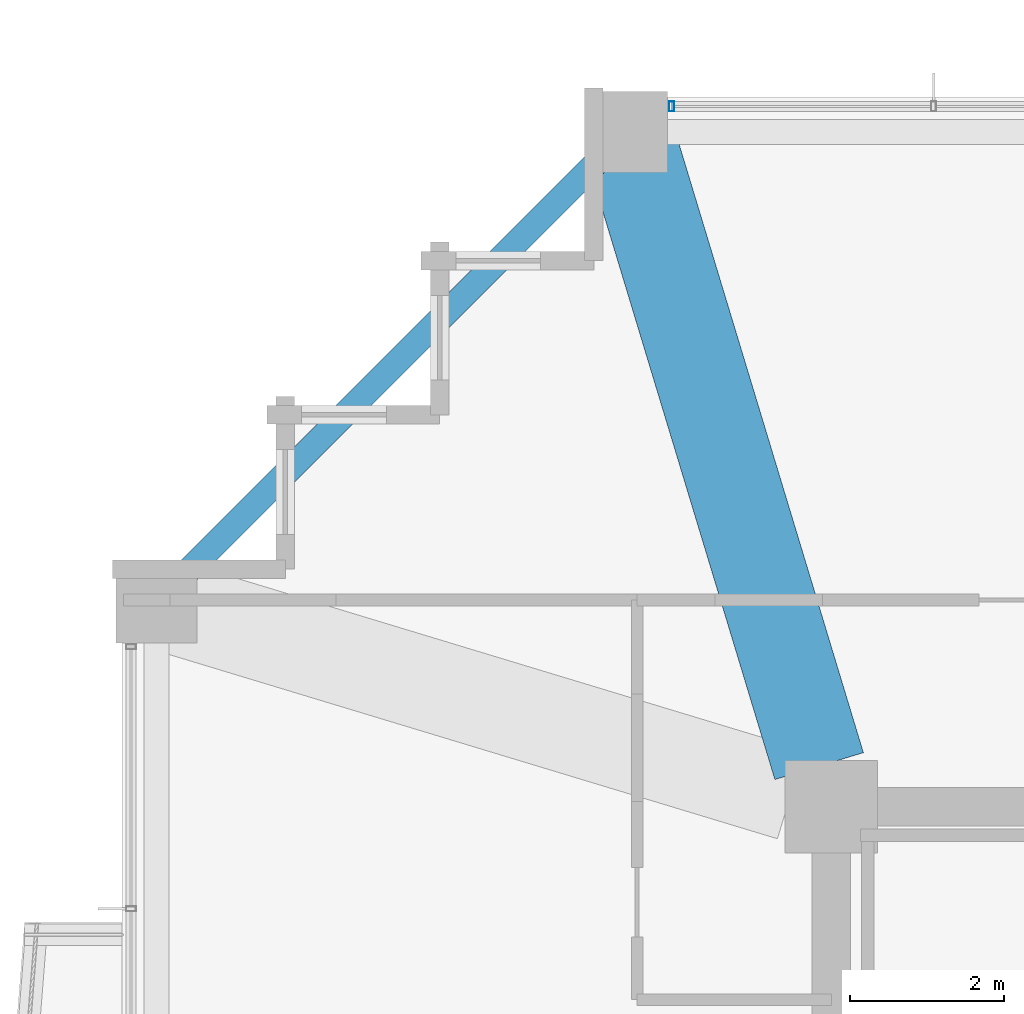
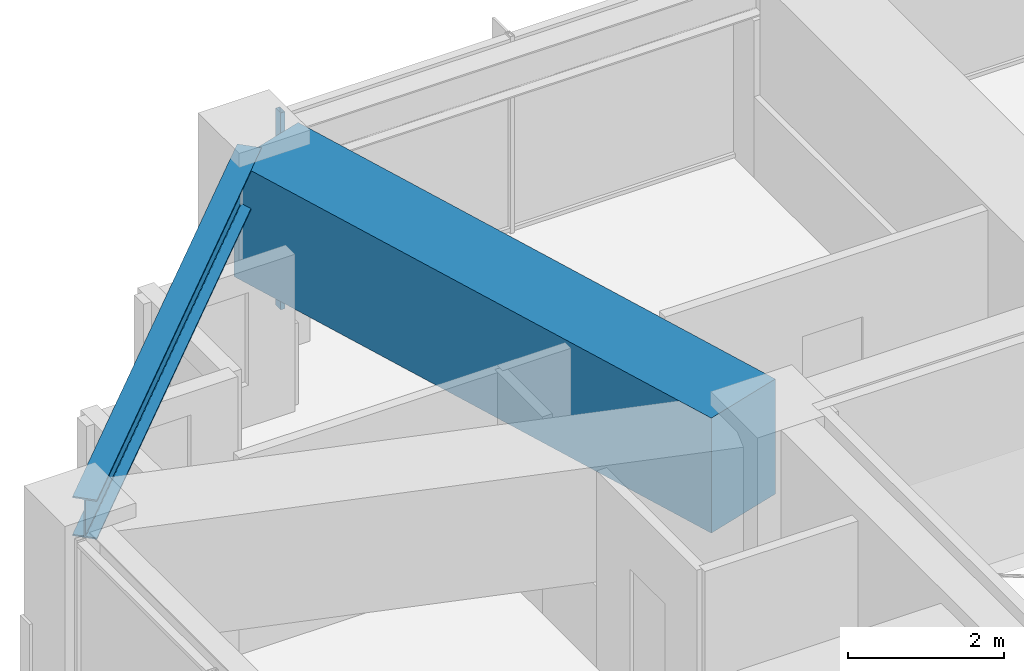
# One storey, part 20 of 36: 2 beams, 1 member, 1 element without a shape of its own.
"""IFC4 building model written with IfcOpenShell, lengths in metres."""

from ifc_helpers import new_model, si_unit, direction, frame, origin, origin_2d, place, context, subcontext, project, spatial, rectangle, hollow_rectangle, i_section, extrude, material, material_profile, profile_set, type_object, element, aggregate, save


model = new_model("IFC4")

# Units and contexts
model_context = context("Model", 3, precision=1e-05, world=origin(), true_north=direction((0.0, 1.0)))
body_context = subcontext(model_context, "Body", "Model", "MODEL_VIEW")
ifc_project = project(units=[si_unit("LENGTHUNIT", "METRE"), si_unit("AREAUNIT", "SQUARE_METRE"), si_unit("VOLUMEUNIT", "CUBIC_METRE"), si_unit("PLANEANGLEUNIT", "RADIAN"), si_unit("MASSUNIT", "GRAM", prefix="KILO")], contexts=[model_context])

# Site, building, storey
site_placement = place(None, origin())
site = spatial("IfcSite", under=ifc_project, at=site_placement, CompositionType="ELEMENT")
building_placement = place(site_placement, origin())
building = spatial("IfcBuilding", under=site, at=building_placement, Name="Kolvaren Belvedere", CompositionType="ELEMENT")
storey_placement = place(building_placement, frame((0.0, 0.0, 108.5)))
storey = spatial("IfcBuildingStorey", under=building, at=storey_placement, Name="L31", CompositionType="ELEMENT", Elevation=108.5)

# Beams
ifc_material_1 = material(Name="Structural steel ASTM A992 Grade 50", Category="steel")
ifc_material_profile_1 = material_profile(ifc_material_1, i_section(OverallWidth=0.324951171875, OverallDepth=0.615966796875, WebThickness=0.013916015625, FlangeThickness=0.021484375, FilletRadius=0.02001953125, at=origin_2d()), Name="W24X117")
ifc_profile_set_1 = profile_set([ifc_material_profile_1], Name="Structural steel ASTM A992 Grade 50")
beam_type_1 = type_object("IfcBeamType", Name="BM-SPAN-W24X117", PredefinedType="SPANDREL", material=ifc_profile_set_1)
beam_1_placement = place(storey_placement, frame((-12.717041015625, 18.48291015625, 2.77197265625), z_axis=(-0.707106781187, -0.707106781187, 0.0), x_axis=(0.707106781187, -0.707106781187, 0.0)))
element("IfcBeam", 1, at=beam_1_placement, inside=storey, type_object=beam_type_1, Name="L31 Perimeter Spandrel N1-W4", PredefinedType="SPANDREL", context=body_context, shape_type="SweptSolid", body=[
    extrude(i_section(OverallWidth=0.324951171875, OverallDepth=0.615966796875, WebThickness=0.013916015625, FlangeThickness=0.021484375, FilletRadius=0.02001953125, at=origin_2d()), origin(), (0.0, 0.0, 1.0), 8.154052734375),
])
ifc_material_2 = material(Name="Concrete C50/60", Category="concrete")
ifc_material_profile_2 = material_profile(ifc_material_2, rectangle(XDim=1.199951171875, YDim=1.800048828125, at=origin_2d()), Name="RC 1200X1800")
ifc_profile_set_2 = profile_set([ifc_material_profile_2], Name="Concrete C50/60")
beam_type_2 = type_object("IfcBeamType", Name="BM-TG-1800", PredefinedType="BEAM", material=ifc_profile_set_2)
beam_2_placement = place(storey_placement, frame((-10.059326171875, 10.426513671875, 2.179931640625), z_axis=(-0.289858652454, 0.957069465398, 0.0), x_axis=(-0.957069465398, -0.289858652454, 0.0)))
element("IfcBeam", 2, at=beam_2_placement, inside=storey, type_object=beam_type_2, Name="L31 Corner Core-to-Perimeter Girder CC4-N1", PredefinedType="BEAM", context=body_context, shape_type="SweptSolid", body=[
    extrude(rectangle(XDim=1.199951171875, YDim=1.800048828125, at=origin_2d()), origin(), (0.0, 0.0, 1.0), 8.38232421875),
])

# Curtain wall, member
ifc_material_3 = material(Name="Anodised pale-metal aluminium AA 6063-T6", Category="aluminium")
curtain_wall_type = type_object("IfcCurtainWallType", Name="CW-Z3-WAIST", PredefinedType="NOTDEFINED", material=ifc_material_3)
curtain_wall_placement = place(storey_placement, origin())
curtain_wall = element("IfcCurtainWall", 3, at=curtain_wall_placement, inside=storey, type_object=curtain_wall_type, Name="L31 Unitised Curtain Wall FCW-L31-N-B1", PredefinedType="NOTDEFINED")
ifc_material_4 = material(Name="Anodised pale-metal aluminium AA 6063-T6", Category="aluminium")
ifc_material_profile_3 = material_profile(ifc_material_4, hollow_rectangle(XDim=0.06494140625, YDim=0.1298828125, WallThickness=0.00390625, at=origin_2d()), Name="ALU-MUL-130X65")
ifc_profile_set_3 = profile_set([ifc_material_profile_3], Name="Anodised pale-metal aluminium AA 6063-T6")
member_type = type_object("IfcMemberType", Name="CW-MUL-130", PredefinedType="MULLION", material=ifc_profile_set_3)
member_placement = place(storey_placement, frame((-11.972412109375, 18.97998046875, 0.0), z_axis=(0.0, 0.0, 1.0), x_axis=(1.0, 0.0, 0.0)))
member = element("IfcMember", 4, at=member_placement, type_object=member_type, Name="FCW-L31-N-B1 Unitised Mullion 1", PredefinedType="MULLION", context=body_context, shape_type="SweptSolid", body=[
    extrude(hollow_rectangle(XDim=0.06494140625, YDim=0.1298828125, WallThickness=0.00390625, at=origin_2d()), origin(), (0.0, 0.0, 1.0), 3.080078125),
])
aggregate(curtain_wall, [member])

save(model, "model.ifc")
